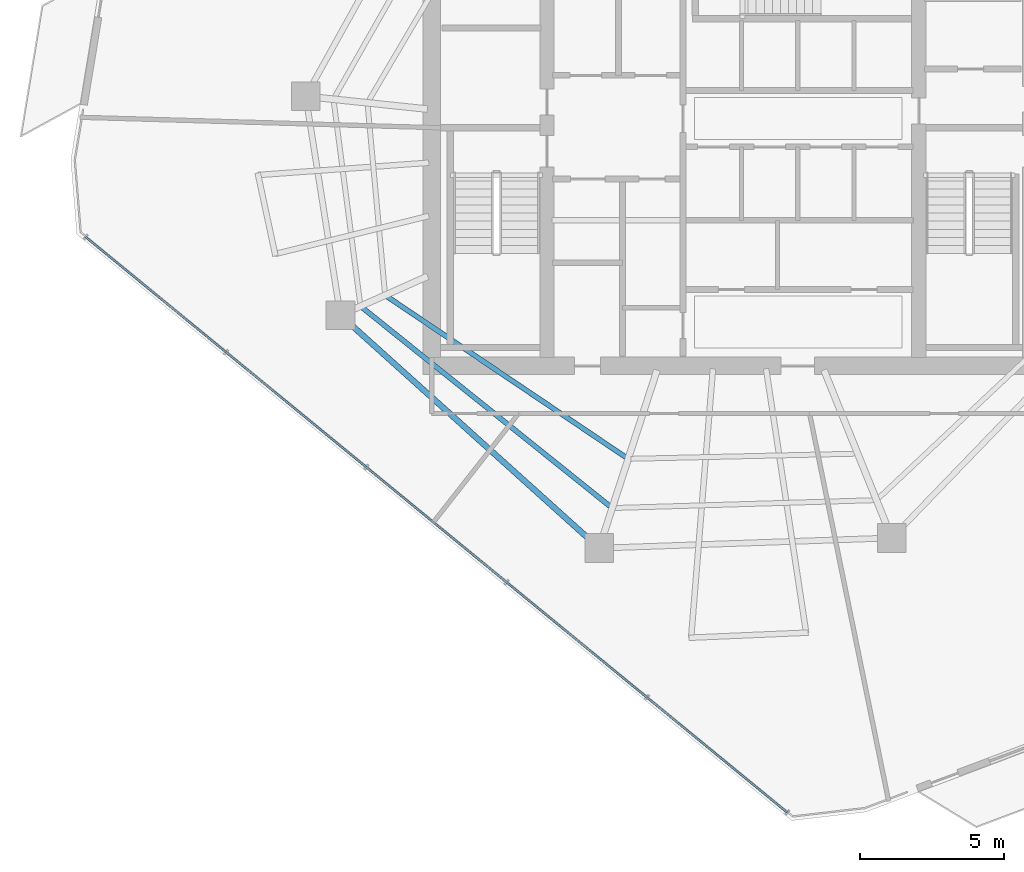
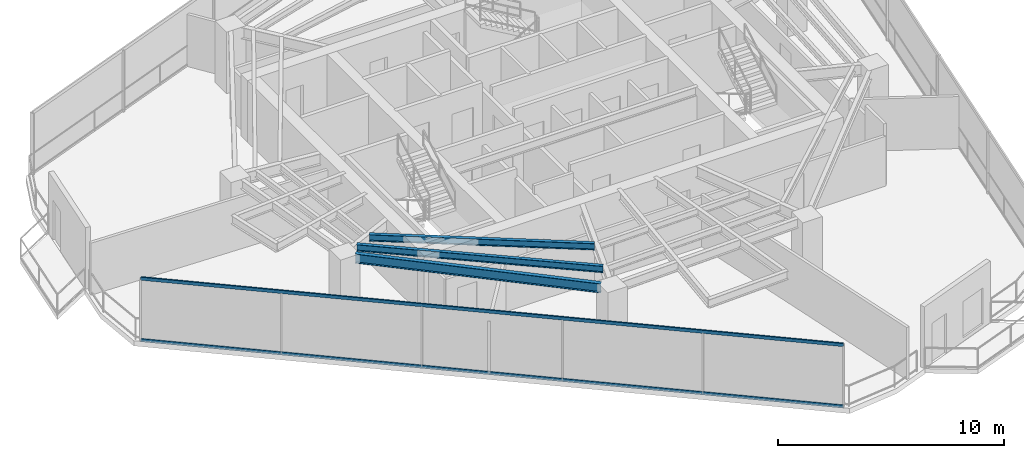
# One storey, part 3 of 19: 3 beams, 2 members, 1 element without a shape of its own.
"""IFC4 building model written with IfcOpenShell, lengths in metres."""

from ifc_helpers import new_model, si_unit, direction, frame, origin, origin_2d, place, context, subcontext, project, spatial, hollow_rectangle, i_section, extrude, material, layer, layer_set, material_profile, profile_set, type_object, element, aggregate, save


model = new_model("IFC4")

# Units and contexts
model_context = context("Model", 3, precision=1e-05, world=origin(), true_north=direction((0.0, 1.0)))
body_context = subcontext(model_context, "Body", "Model", "MODEL_VIEW")
ifc_project = project(units=[si_unit("LENGTHUNIT", "METRE"), si_unit("AREAUNIT", "SQUARE_METRE"), si_unit("VOLUMEUNIT", "CUBIC_METRE"), si_unit("PLANEANGLEUNIT", "RADIAN"), si_unit("MASSUNIT", "GRAM", prefix="KILO")], contexts=[model_context])

# Site, building, storey
site_placement = place(None, origin())
site = spatial("IfcSite", under=ifc_project, at=site_placement, CompositionType="ELEMENT")
building_placement = place(site_placement, origin())
building = spatial("IfcBuilding", under=site, at=building_placement, Name="Qarnah Convention Tower", CompositionType="ELEMENT")
storey_placement = place(building_placement, frame((0.0, 0.0, 143.699951171875)))
storey = spatial("IfcBuildingStorey", under=building, at=storey_placement, Name="L38", CompositionType="ELEMENT", Elevation=143.699951171875)

# Beams
ifc_material_1 = material(Name="Structural steel S355JR", Category="steel")
ifc_material_profile_1 = material_profile(ifc_material_1, i_section(OverallWidth=0.172119140625, OverallDepth=0.35595703125, WebThickness=0.007080078125, FlangeThickness=0.011962890625, at=origin_2d()), Name="W360X51")
ifc_profile_set_1 = profile_set([ifc_material_profile_1], Name="Structural steel S355JR")
beam_type_1 = type_object("IfcBeamType", Name="BM-JST-W360", PredefinedType="JOIST", material=ifc_profile_set_1)
beam_1_placement = place(storey_placement, frame((24.40087890625, 20.614013671875, 3.14208984375), z_axis=(0.780148110393, -0.625594857596, 0.0), x_axis=(0.625594857596, 0.780148110393, 0.0)))
element("IfcBeam", 1, at=beam_1_placement, inside=storey, type_object=beam_type_1, Name="L38 joist BM-L38-SJST-06", PredefinedType="JOIST", context=body_context, shape_type="SweptSolid", body=[
    extrude(i_section(OverallWidth=0.172119140625, OverallDepth=0.35595703125, WebThickness=0.007080078125, FlangeThickness=0.011962890625, at=origin_2d()), origin(), (0.0, 0.0, 1.0), 11.013427734375),
])
beam_2_placement = place(storey_placement, frame((25.260009765625, 21.0009765625, 3.14208984375), z_axis=(0.82954788589, -0.558435587168, 0.0), x_axis=(0.558435587168, 0.82954788589, 0.0)))
element("IfcBeam", 2, at=beam_2_placement, inside=storey, type_object=beam_type_1, Name="L38 joist BM-L38-IJST-06", PredefinedType="JOIST", context=body_context, shape_type="SweptSolid", body=[
    extrude(i_section(OverallWidth=0.172119140625, OverallDepth=0.35595703125, WebThickness=0.007080078125, FlangeThickness=0.011962890625, at=origin_2d()), origin(), (0.0, 0.0, 1.0), 9.98486328125),
])
ifc_material_profile_2 = material_profile(ifc_material_1, i_section(OverallWidth=0.199951171875, OverallDepth=0.5, WebThickness=0.010009765625, FlangeThickness=0.01611328125, at=origin_2d()), Name="IPE500")
ifc_profile_set_2 = profile_set([ifc_material_profile_2], Name="Structural steel S355JR")
beam_type_2 = type_object("IfcBeamType", Name="BM-SPN-IPE500", PredefinedType="SPANDREL", material=ifc_profile_set_2)
beam_3_placement = place(storey_placement, frame((23.998046875, 20.031982421875, 3.070068359375), z_axis=(0.743165079224, -0.66910811161, 0.0), x_axis=(0.66910811161, 0.743165079224, 0.0)))
element("IfcBeam", 3, at=beam_3_placement, inside=storey, type_object=beam_type_2, Name="L38 spandrel BM-L38-SPN-06", PredefinedType="SPANDREL", context=body_context, shape_type="SweptSolid", body=[
    extrude(i_section(OverallWidth=0.199951171875, OverallDepth=0.5, WebThickness=0.010009765625, FlangeThickness=0.01611328125, at=origin_2d()), origin(), (0.0, 0.0, 1.0), 11.099853515625),
])

# Curtain wall, members
ifc_material_2 = material(Name="Tempered Low-E dark glass", Category="glass")
ifc_layer = layer(ifc_material_2, 0.172119140625)
ifc_layer_set = layer_set([ifc_layer], Name="Tempered Low-E dark glass")
curtain_wall_type = type_object("IfcCurtainWallType", Name="CWS-03", PredefinedType="NOTDEFINED", material=ifc_layer_set)
curtain_wall_placement = place(storey_placement, origin())
curtain_wall = element("IfcCurtainWall", 4, at=curtain_wall_placement, inside=storey, type_object=curtain_wall_type, Name="L38 unitised curtain wall CW-L38-F2", PredefinedType="NOTDEFINED")
ifc_material_3 = material(Name="Black anodised aluminium", Category="aluminium")
ifc_material_profile_3 = material_profile(ifc_material_3, hollow_rectangle(XDim=0.070068359375, YDim=0.169921875, WallThickness=0.0048828125, at=origin_2d()), Name="TRN-70X170")
ifc_profile_set_3 = profile_set([ifc_material_profile_3], Name="Black anodised aluminium")
member_type = type_object("IfcMemberType", Name="TRN-T3", PredefinedType="USERDEFINED", material=ifc_profile_set_3)
member_1_placement = place(storey_placement, frame((39.135009765625, 3.10693359375, 0.0), z_axis=(-0.773173704479, 0.634194309895, 0.0), x_axis=(-0.634194309895, -0.773173704479, 0.0)))
member_1 = element("IfcMember", 5, at=member_1_placement, type_object=member_type, Name="CW-L38-F2 transom 1", ObjectType="TRANSOM", PredefinedType="USERDEFINED", context=body_context, shape_type="SweptSolid", body=[
    extrude(hollow_rectangle(XDim=0.070068359375, YDim=0.169921875, WallThickness=0.0048828125, at=origin_2d()), origin(), (0.0, 0.0, 1.0), 31.4794921875),
])
member_2_placement = place(storey_placement, frame((39.135009765625, 3.10693359375, 3.320068359375), z_axis=(-0.773173704479, 0.634194309895, 0.0), x_axis=(-0.634194309895, -0.773173704479, 0.0)))
member_2 = element("IfcMember", 6, at=member_2_placement, type_object=member_type, Name="CW-L38-F2 transom 2", ObjectType="TRANSOM", PredefinedType="USERDEFINED", context=body_context, shape_type="SweptSolid", body=[
    extrude(hollow_rectangle(XDim=0.070068359375, YDim=0.169921875, WallThickness=0.0048828125, at=origin_2d()), origin(), (0.0, 0.0, 1.0), 31.4794921875),
])
aggregate(curtain_wall, [member_1, member_2])

save(model, "model.ifc")
